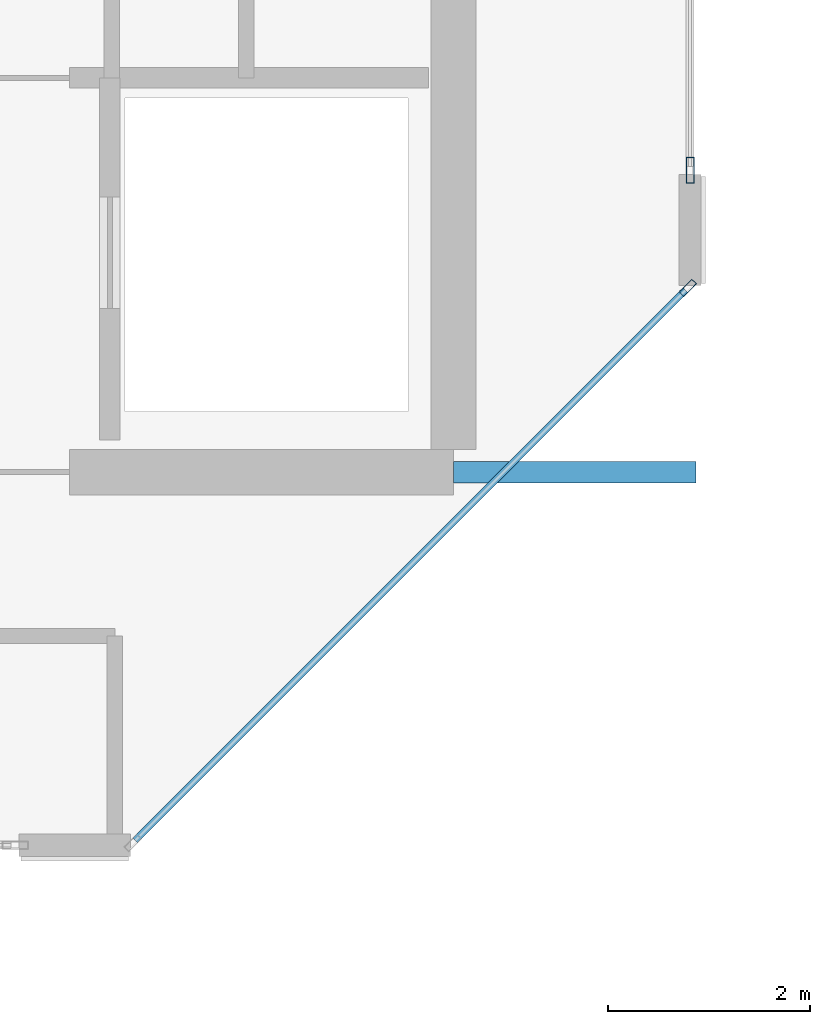
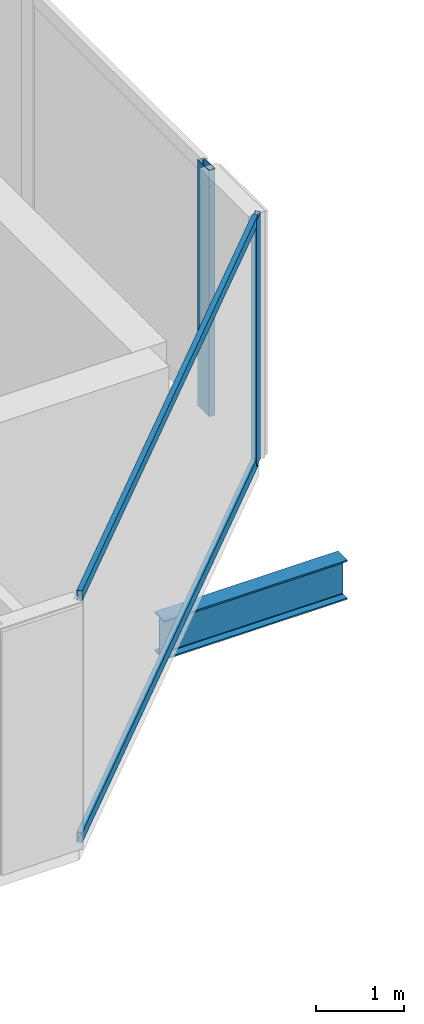
# One storey, part 3 of 28: 4 members, 1 beam, 2 elements without a shape of their own.
"""IFC4 building model written with IfcOpenShell, lengths in metres."""

from ifc_helpers import new_model, si_unit, direction, frame, origin, origin_2d, place, context, subcontext, project, spatial, hollow_rectangle, i_section, extrude, material, layer, layer_set, material_profile, profile_set, type_object, element, aggregate, save


model = new_model("IFC4")

# Units and contexts
model_context = context("Model", 3, precision=1e-05, world=origin(), true_north=direction((0.0, 1.0)))
body_context = subcontext(model_context, "Body", "Model", "MODEL_VIEW")
ifc_project = project(units=[si_unit("LENGTHUNIT", "METRE"), si_unit("AREAUNIT", "SQUARE_METRE"), si_unit("VOLUMEUNIT", "CUBIC_METRE"), si_unit("PLANEANGLEUNIT", "RADIAN"), si_unit("MASSUNIT", "GRAM", prefix="KILO")], contexts=[model_context])

# Site, building, storey
site_placement = place(None, origin())
site = spatial("IfcSite", under=ifc_project, at=site_placement, CompositionType="ELEMENT")
building_placement = place(site_placement, origin())
building = spatial("IfcBuilding", under=site, at=building_placement, Name="Tanjung Sevakor Pilgrim Tower", CompositionType="ELEMENT")
storey_placement = place(building_placement, frame((0.0, 0.0, 257.070068359375)))
storey = spatial("IfcBuildingStorey", under=building, at=storey_placement, Name="L72", CompositionType="ELEMENT", Elevation=257.070068359375)

# Beam
ifc_material_1 = material(Name="Steel S355J2", Category="steel")
ifc_material_profile_1 = material_profile(ifc_material_1, i_section(OverallWidth=0.2119140625, OverallDepth=0.54443359375, WebThickness=0.0126953125, FlangeThickness=0.021240234375, FilletRadius=0.0126953125, at=origin_2d()))
ifc_profile_set_1 = profile_set([ifc_material_profile_1], Name="Steel S355J2")
beam_type = type_object("IfcBeamType", Name="BM-B-G5-UB_533x210x122", PredefinedType="BEAM", material=ifc_profile_set_1)
beam_placement = place(storey_placement, frame((36.0, 24.60009765625, -0.4921875), z_axis=(1.0, 0.0, 0.0), x_axis=(0.0, 1.0, 0.0)))
element("IfcBeam", 1, at=beam_placement, inside=storey, type_object=beam_type, Name="L72 West Peak Cantilever Girder 1", PredefinedType="BEAM", context=body_context, shape_type="SweptSolid", body=[
    extrude(i_section(OverallWidth=0.2119140625, OverallDepth=0.54443359375, WebThickness=0.0126953125, FlangeThickness=0.021240234375, FilletRadius=0.0126953125, at=origin_2d()), origin(), (0.0, 0.0, 1.0), 2.39990234375),
])

# Curtain wall, member
ifc_material_2 = material(Name="Aluminium 6063-T6 and Low-E Glass", Category="aluminium")
ifc_layer_1 = layer(ifc_material_2, 0.179931640625)
ifc_layer_set_1 = layer_set([ifc_layer_1], Name="CW-SYS-CHAM")
curtain_wall_type_1 = type_object("IfcCurtainWallType", Name="CW-SYS-CHAM", PredefinedType="NOTDEFINED", material=ifc_layer_set_1)
curtain_wall_1_placement = place(storey_placement, origin())
curtain_wall_1 = element("IfcCurtainWall", 2, at=curtain_wall_1_placement, inside=storey, type_object=curtain_wall_type_1, Name="L72 Curtain Wall CW-CHM-L72-WEST-1", PredefinedType="NOTDEFINED")
ifc_material_3 = material(Name="Aluminium 6063-T6", Category="aluminium")
ifc_material_profile_2 = material_profile(ifc_material_3, hollow_rectangle(XDim=0.06494140625, YDim=0.179931640625, WallThickness=0.00390625, at=origin_2d()))
ifc_profile_set_2 = profile_set([ifc_material_profile_2], Name="Aluminium 6063-T6")
member_type_1 = type_object("IfcMemberType", Name="TYPE-CWM-1", PredefinedType="MULLION", material=ifc_profile_set_2)
member_1_placement = place(storey_placement, frame((38.317138671875, 26.422607421875, 0.0), z_axis=(0.0, 0.0, 1.0), x_axis=(-0.707106781187, 0.707106781187, 0.0)))
member_1 = element("IfcMember", 3, at=member_1_placement, type_object=member_type_1, Name="CW-CHM mullion 2", PredefinedType="MULLION", context=body_context, shape_type="SweptSolid", body=[
    extrude(hollow_rectangle(XDim=0.06494140625, YDim=0.179931640625, WallThickness=0.00390625, at=origin_2d()), origin(), (0.0, 0.0, 1.0), 3.409912109375),
])

ifc_material_4 = material(Name="Aluminium 6063-T6 and Low-E Glass", Category="aluminium")
ifc_layer_2 = layer(ifc_material_4, 0.199951171875)
ifc_layer_set_2 = layer_set([ifc_layer_2], Name="CW-SYS-CRNW")
curtain_wall_type_2 = type_object("IfcCurtainWallType", Name="CW-SYS-CRNW", PredefinedType="NOTDEFINED", material=ifc_layer_set_2)
curtain_wall_2_placement = place(storey_placement, origin())
curtain_wall_2 = element("IfcCurtainWall", 4, at=curtain_wall_2_placement, inside=storey, type_object=curtain_wall_type_2, Name="L72 Curtain Wall CW-CRN-L72-WEST-2-1", PredefinedType="NOTDEFINED")
ifc_material_5 = material(Name="Aluminium 6063-T6", Category="aluminium")
ifc_material_profile_3 = material_profile(ifc_material_5, hollow_rectangle(XDim=0.080078125, YDim=0.260009765625, WallThickness=0.0048828125, at=origin_2d()))
ifc_profile_set_3 = profile_set([ifc_material_profile_3], Name="Aluminium 6063-T6")
member_type_2 = type_object("IfcMemberType", Name="TYPE-CWM-3", PredefinedType="MULLION", material=ifc_profile_set_3)
member_2_placement = place(storey_placement, frame((38.340087890625, 27.585693359375, 0.0), z_axis=(0.0, 0.0, 1.0), x_axis=(-1.0, 0.0, 0.0)))
member_2 = element("IfcMember", 5, at=member_2_placement, type_object=member_type_2, Name="CW-CRW mullion 1", PredefinedType="MULLION", context=body_context, shape_type="SweptSolid", body=[
    extrude(hollow_rectangle(XDim=0.080078125, YDim=0.260009765625, WallThickness=0.0048828125, at=origin_2d()), origin(), (0.0, 0.0, 1.0), 3.409912109375),
])
aggregate(curtain_wall_2, [member_2])

# Member
ifc_material_6 = material(Name="Aluminium 6063-T6", Category="aluminium")
ifc_material_profile_4 = material_profile(ifc_material_6, hollow_rectangle(XDim=0.06494140625, YDim=0.139892578125, WallThickness=0.00390625, at=origin_2d()))
ifc_profile_set_4 = profile_set([ifc_material_profile_4], Name="Aluminium 6063-T6")
member_type_3 = type_object("IfcMemberType", Name="TYPE-CWT-1", PredefinedType="USERDEFINED", material=ifc_profile_set_4)
member_3_placement = place(storey_placement, frame((32.850341796875, 20.9560546875, 0.032470703125), z_axis=(0.707106781187, 0.707106781187, 0.0), x_axis=(-0.707106781187, 0.707106781187, 0.0)))
member_3 = element("IfcMember", 6, at=member_3_placement, type_object=member_type_3, Name="CW-CHM transom 1.1", ObjectType="TRANSOM", PredefinedType="USERDEFINED", context=body_context, shape_type="SweptSolid", body=[
    extrude(hollow_rectangle(XDim=0.06494140625, YDim=0.139892578125, WallThickness=0.00390625, at=origin_2d()), origin(), (0.0, 0.0, 1.0), 7.698486328125),
])

member_4_placement = place(storey_placement, frame((32.850341796875, 20.9560546875, 3.37744140625), z_axis=(0.707106781187, 0.707106781187, 0.0), x_axis=(-0.707106781187, 0.707106781187, 0.0)))
member_4 = element("IfcMember", 7, at=member_4_placement, type_object=member_type_3, Name="CW-CHM transom 1.2", ObjectType="TRANSOM", PredefinedType="USERDEFINED", context=body_context, shape_type="SweptSolid", body=[
    extrude(hollow_rectangle(XDim=0.06494140625, YDim=0.139892578125, WallThickness=0.00390625, at=origin_2d()), origin(), (0.0, 0.0, 1.0), 7.698486328125),
])

aggregate(curtain_wall_1, [member_1, member_3, member_4])

save(model, "model.ifc")
